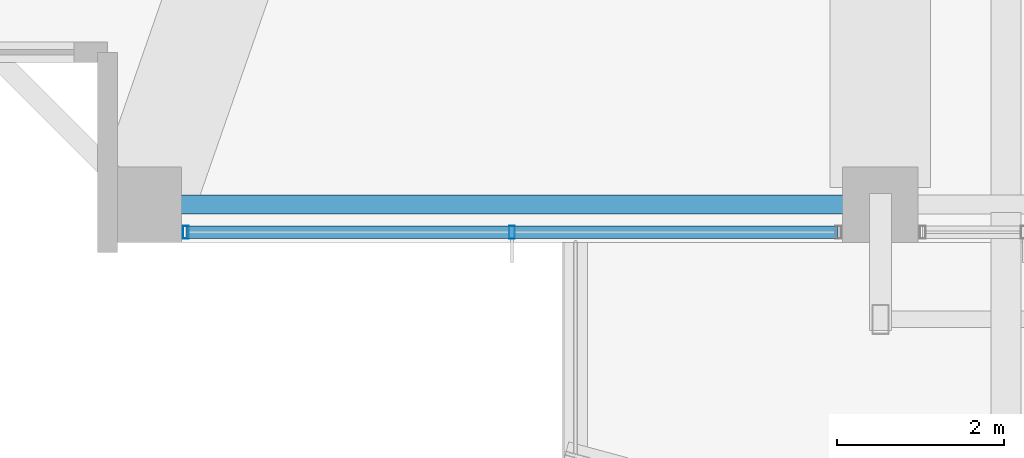
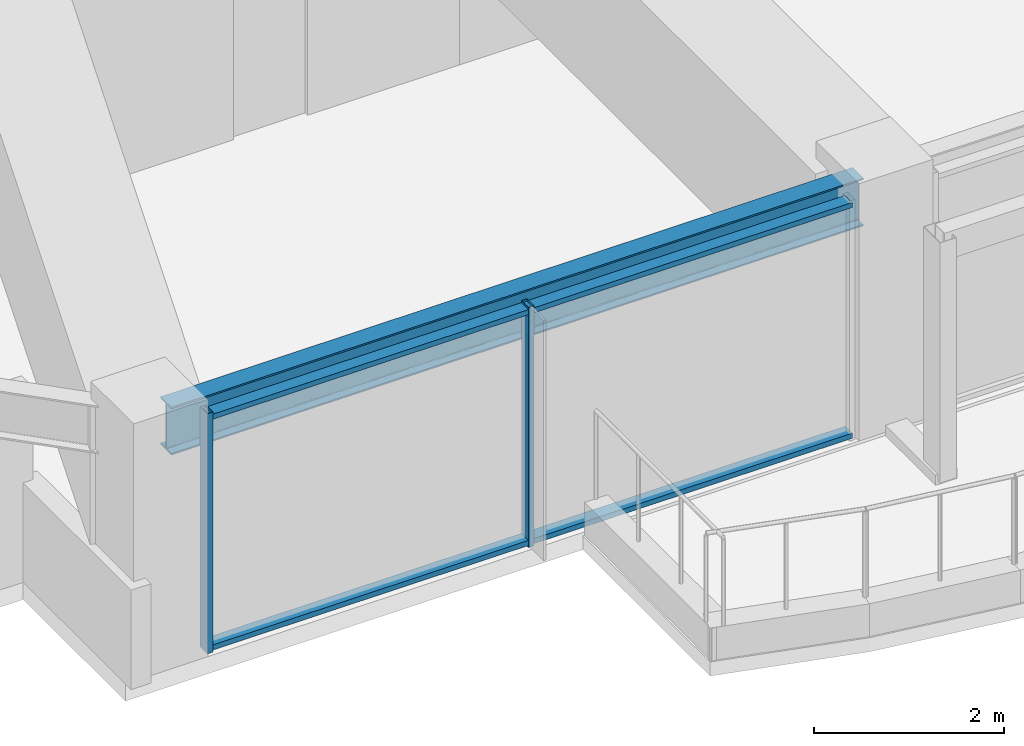
# One storey, part 2 of 37: 4 members, 1 beam, 1 element without a shape of its own.
"""IFC4 building model written with IfcOpenShell, lengths in metres."""

from ifc_helpers import new_model, si_unit, direction, frame, origin, origin_2d, place, context, subcontext, project, spatial, hollow_rectangle, i_section, extrude, material, material_profile, profile_set, type_object, element, aggregate, save


model = new_model("IFC4")

# Units and contexts
model_context = context("Model", 3, precision=1e-05, world=origin(), true_north=direction((0.0, 1.0)))
body_context = subcontext(model_context, "Body", "Model", "MODEL_VIEW")
ifc_project = project(units=[si_unit("LENGTHUNIT", "METRE"), si_unit("AREAUNIT", "SQUARE_METRE"), si_unit("VOLUMEUNIT", "CUBIC_METRE"), si_unit("PLANEANGLEUNIT", "RADIAN"), si_unit("MASSUNIT", "GRAM", prefix="KILO")], contexts=[model_context])

# Site, building, storey
site_placement = place(None, origin())
site = spatial("IfcSite", under=ifc_project, at=site_placement, CompositionType="ELEMENT")
building_placement = place(site_placement, origin())
building = spatial("IfcBuilding", under=site, at=building_placement, Name="Kolvaren Belvedere", CompositionType="ELEMENT")
storey_placement = place(building_placement, frame((0.0, 0.0, 186.60009765625)))
storey = spatial("IfcBuildingStorey", under=building, at=storey_placement, Name="L54", CompositionType="ELEMENT", Elevation=186.60009765625)

# Beam
ifc_material_1 = material(Name="Structural steel ASTM A992 Grade 50", Category="steel")
ifc_material_profile_1 = material_profile(ifc_material_1, i_section(OverallWidth=0.22900390625, OverallDepth=0.612060546875, WebThickness=0.011962890625, FlangeThickness=0.01953125, FilletRadius=0.01806640625, at=origin_2d()), Name="W24X84")
ifc_profile_set_1 = profile_set([ifc_material_profile_1], Name="Structural steel ASTM A992 Grade 50")
beam_type = type_object("IfcBeamType", Name="BM-SPAN-W24X84", PredefinedType="SPANDREL", material=ifc_profile_set_1)
beam_placement = place(storey_placement, frame((-13.197509765625, -19.949951171875, 2.77392578125), z_axis=(1.0, 0.0, 0.0), x_axis=(0.0, 1.0, 0.0)))
element("IfcBeam", 1, at=beam_placement, inside=storey, type_object=beam_type, Name="L54 Perimeter Spandrel S1-S2", PredefinedType="SPANDREL", context=body_context, shape_type="SweptSolid", body=[
    extrude(i_section(OverallWidth=0.22900390625, OverallDepth=0.612060546875, WebThickness=0.011962890625, FlangeThickness=0.01953125, FilletRadius=0.01806640625, at=origin_2d()), origin(), (0.0, 0.0, 1.0), 8.39501953125),
])

# Curtain wall, members
ifc_material_2 = material(Name="Anodised pale-metal aluminium AA 6063-T6", Category="aluminium")
curtain_wall_type = type_object("IfcCurtainWallType", Name="CW-Z5-HIGH", PredefinedType="NOTDEFINED", material=ifc_material_2)
curtain_wall_placement = place(storey_placement, origin())
curtain_wall = element("IfcCurtainWall", 2, at=curtain_wall_placement, inside=storey, type_object=curtain_wall_type, Name="L54 Unitised Curtain Wall FCW-L54-S2-B2", PredefinedType="NOTDEFINED")
ifc_material_3 = material(Name="Anodised pale-metal aluminium AA 6063-T6", Category="aluminium")
ifc_material_profile_2 = material_profile(ifc_material_3, hollow_rectangle(XDim=0.070068359375, YDim=0.14990234375, WallThickness=0.004150390625, at=origin_2d()), Name="ALU-MUL-150X70")
ifc_profile_set_2 = profile_set([ifc_material_profile_2], Name="Anodised pale-metal aluminium AA 6063-T6")
member_type_1 = type_object("IfcMemberType", Name="CW-MUL-150", PredefinedType="MULLION", material=ifc_profile_set_2)
member_1_placement = place(storey_placement, frame((-9.0, -20.280029296875, 0.0), z_axis=(0.0, 0.0, 1.0), x_axis=(1.0, 0.0, 0.0)))
member_1 = element("IfcMember", 3, at=member_1_placement, type_object=member_type_1, Name="FCW-L54-S2-B2 Unitised Mullion 2", PredefinedType="MULLION", context=body_context, shape_type="SweptSolid", body=[
    extrude(hollow_rectangle(XDim=0.070068359375, YDim=0.14990234375, WallThickness=0.004150390625, at=origin_2d()), origin(), (0.0, 0.0, 1.0), 3.079833984375),
])
member_2_placement = place(storey_placement, frame((-12.89501953125, -20.280029296875, 0.0), z_axis=(0.0, 0.0, 1.0), x_axis=(1.0, 0.0, 0.0)))
member_2 = element("IfcMember", 4, at=member_2_placement, type_object=member_type_1, Name="FCW-L54-S2-B2 Unitised Mullion 3", PredefinedType="MULLION", context=body_context, shape_type="SweptSolid", body=[
    extrude(hollow_rectangle(XDim=0.070068359375, YDim=0.14990234375, WallThickness=0.004150390625, at=origin_2d()), origin(), (0.0, 0.0, 1.0), 3.079833984375),
])
ifc_material_4 = material(Name="Anodised pale-metal aluminium AA 6063-T6", Category="aluminium")
ifc_material_profile_3 = material_profile(ifc_material_4, hollow_rectangle(XDim=0.06494140625, YDim=0.14990234375, WallThickness=0.00390625, at=origin_2d()), Name="ALU-TRN-150X65")
ifc_profile_set_3 = profile_set([ifc_material_profile_3], Name="Anodised pale-metal aluminium AA 6063-T6")
member_type_2 = type_object("IfcMemberType", Name="CW-TRN-150", PredefinedType="USERDEFINED", material=ifc_profile_set_3)
member_3_placement = place(storey_placement, frame((-5.10498046875, -20.280029296875, 0.059814453125), z_axis=(-1.0, 0.0, 0.0), x_axis=(0.0, 0.0, 1.0)))
member_3 = element("IfcMember", 5, at=member_3_placement, type_object=member_type_2, Name="FCW-L54-S2-B2 Sill Transom", ObjectType="TRANSOM", PredefinedType="USERDEFINED", context=body_context, shape_type="SweptSolid", body=[
    extrude(hollow_rectangle(XDim=0.06494140625, YDim=0.14990234375, WallThickness=0.00390625, at=origin_2d()), origin(), (0.0, 0.0, 1.0), 7.7900390625),
])
member_4_placement = place(storey_placement, frame((-5.10498046875, -20.280029296875, 3.02001953125), z_axis=(-1.0, 0.0, 0.0), x_axis=(0.0, 0.0, 1.0)))
member_4 = element("IfcMember", 6, at=member_4_placement, type_object=member_type_2, Name="FCW-L54-S2-B2 Head Transom", ObjectType="TRANSOM", PredefinedType="USERDEFINED", context=body_context, shape_type="SweptSolid", body=[
    extrude(hollow_rectangle(XDim=0.06494140625, YDim=0.14990234375, WallThickness=0.00390625, at=origin_2d()), origin(), (0.0, 0.0, 1.0), 7.7900390625),
])
aggregate(curtain_wall, [member_1, member_2, member_3, member_4])

save(model, "model.ifc")
